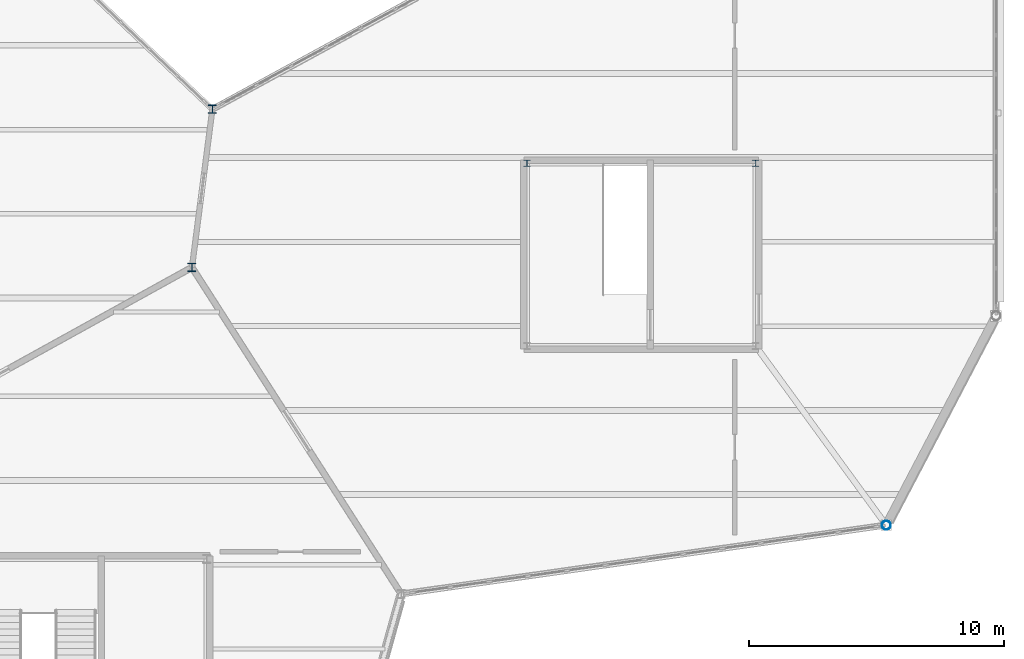
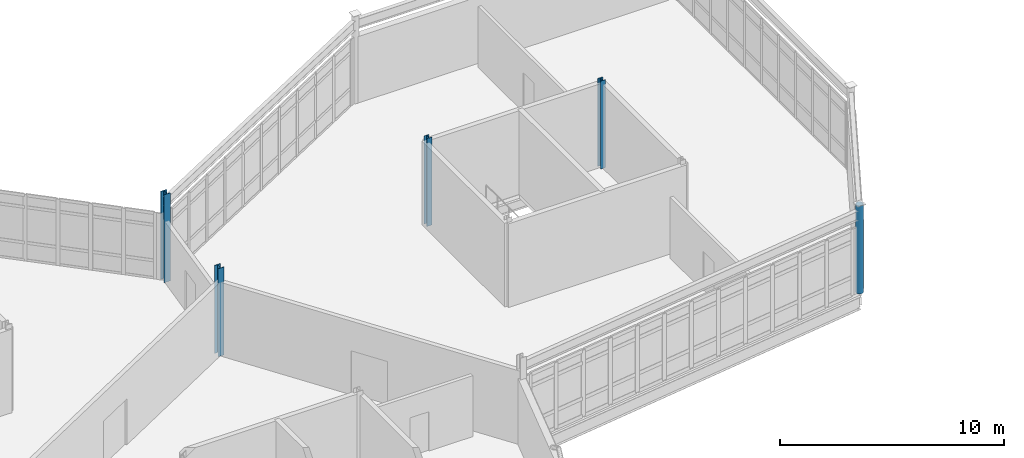
# One storey, part 20 of 114: 5 columns.
"""IFC4 building model written with IfcOpenShell, lengths in metres."""

from ifc_helpers import new_model, si_unit, direction, frame, origin, origin_2d, place, context, subcontext, project, spatial, hollow_circle, i_section, extrude, material, material_profile, profile_set, type_object, element, save


model = new_model("IFC4")

# Units and contexts
model_context = context("Model", 3, precision=1e-05, world=origin(), true_north=direction((0.0, 1.0)))
body_context = subcontext(model_context, "Body", "Model", "MODEL_VIEW")
ifc_project = project(units=[si_unit("LENGTHUNIT", "METRE"), si_unit("AREAUNIT", "SQUARE_METRE"), si_unit("VOLUMEUNIT", "CUBIC_METRE"), si_unit("PLANEANGLEUNIT", "RADIAN"), si_unit("MASSUNIT", "GRAM", prefix="KILO")], contexts=[model_context])

# Site, building, storey
site_placement = place(None, origin())
site = spatial("IfcSite", under=ifc_project, at=site_placement, CompositionType="ELEMENT")
building_placement = place(site_placement, origin())
building = spatial("IfcBuilding", under=site, at=building_placement, Name="Tameran Prism Museum", CompositionType="ELEMENT")
storey_placement = place(building_placement, frame((0.0, 0.0, 10.199951171875)))
storey = spatial("IfcBuildingStorey", under=building, at=storey_placement, Name="L02", CompositionType="ELEMENT", Elevation=10.199951171875)

# Columns
ifc_material_1 = material(Name="Steel Grade C350L0 (350 MPa)", Category="steel")
ifc_material_profile_1 = material_profile(ifc_material_1, hollow_circle(Radius=0.177734375, WallThickness=0.0126953125, at=origin_2d()))
ifc_profile_set_1 = profile_set([ifc_material_profile_1])
column_type_1 = type_object("IfcColumnType", Name="COL-CHS355", PredefinedType="COLUMN", material=ifc_profile_set_1)
column_placement = place(storey_placement, frame((162.10009765625, 87.89990234375, 0.0), z_axis=(0.0, 0.0, 1.0), x_axis=(1.0, 0.0, 0.0)))
element("IfcColumn", 1, at=column_placement, inside=storey, type_object=column_type_1, Name="Column CV-67 L02", PredefinedType="COLUMN", context=body_context, shape_type="SweptSolid", body=[
    extrude(hollow_circle(Radius=0.177734375, WallThickness=0.0126953125, at=origin_2d()), origin(), (0.0, 0.0, 1.0), 4.800048828125),
])
ifc_material_2 = material(Name="Steel Grade 300PLUS (300 MPa)", Category="steel")
ifc_material_profile_2 = material_profile(ifc_material_2, i_section(OverallWidth=0.25390625, OverallDepth=0.25390625, WebThickness=0.008544921875, FlangeThickness=0.01416015625, FilletRadius=0.0126953125, at=origin_2d()))
ifc_profile_set_2 = profile_set([ifc_material_profile_2])
column_type_2 = type_object("IfcColumnType", Name="COL-UC250B", PredefinedType="COLUMN", material=ifc_profile_set_2)
for number, where, z_axis, x_axis, name in (
    (2, (156.97998046875, 102.080078125, 0.0), (0.0, 0.0, 1.0), (1.0, 0.0, 0.0), "Column CC-11-3 L02"),
    (3, (148.02001953125, 102.080078125, 0.0), (0.0, 0.0, 1.0), (1.0, 0.0, 0.0), "Column CC-11-4 L02"),
):
    element("IfcColumn", number, at=place(storey_placement, frame(where, z_axis=z_axis, x_axis=x_axis)), inside=storey, type_object=column_type_2, Name=name, PredefinedType="COLUMN", context=body_context, shape_type="SweptSolid", body=[
        extrude(i_section(OverallWidth=0.25390625, OverallDepth=0.25390625, WebThickness=0.008544921875, FlangeThickness=0.01416015625, FilletRadius=0.0126953125, at=origin_2d()), origin(), (0.0, 0.0, 1.0), 4.800048828125),
    ])
ifc_material_3 = material(Name="Steel Grade 350 (350 MPa)", Category="steel")
ifc_material_profile_3 = material_profile(ifc_material_3, i_section(OverallWidth=0.31103515625, OverallDepth=0.326904296875, WebThickness=0.015625, FlangeThickness=0.02490234375, FilletRadius=0.0166015625, at=origin_2d()))
ifc_profile_set_3 = profile_set([ifc_material_profile_3])
column_type_3 = type_object("IfcColumnType", Name="COL-UC310A", PredefinedType="COLUMN", material=ifc_profile_set_3)
for number, where, z_axis, x_axis, name in (
    (4, (134.89990234375, 98.0, 0.0), (0.0, 0.0, 1.0), (1.0, 0.0, 0.0), "Column CV-54 L02"),
    (5, (135.699951171875, 104.199951171875, 0.0), (0.0, 0.0, 1.0), (1.0, 0.0, 0.0), "Column CV-55 L02"),
):
    element("IfcColumn", number, at=place(storey_placement, frame(where, z_axis=z_axis, x_axis=x_axis)), inside=storey, type_object=column_type_3, Name=name, PredefinedType="COLUMN", context=body_context, shape_type="SweptSolid", body=[
        extrude(i_section(OverallWidth=0.31103515625, OverallDepth=0.326904296875, WebThickness=0.015625, FlangeThickness=0.02490234375, FilletRadius=0.0166015625, at=origin_2d()), origin(), (0.0, 0.0, 1.0), 4.800048828125),
    ])

save(model, "model.ifc")
